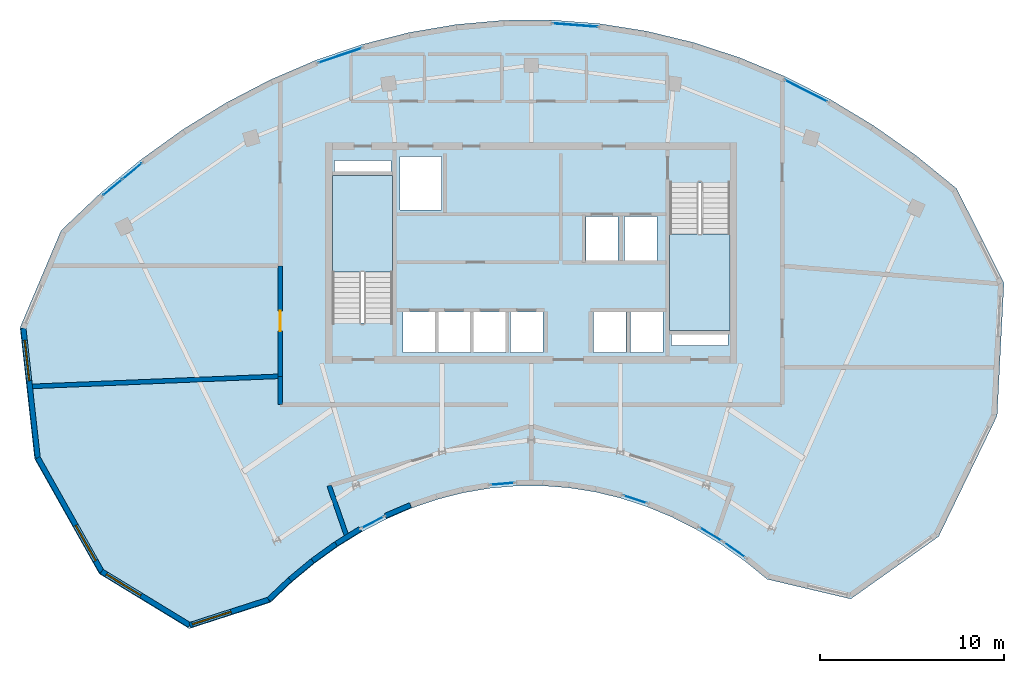
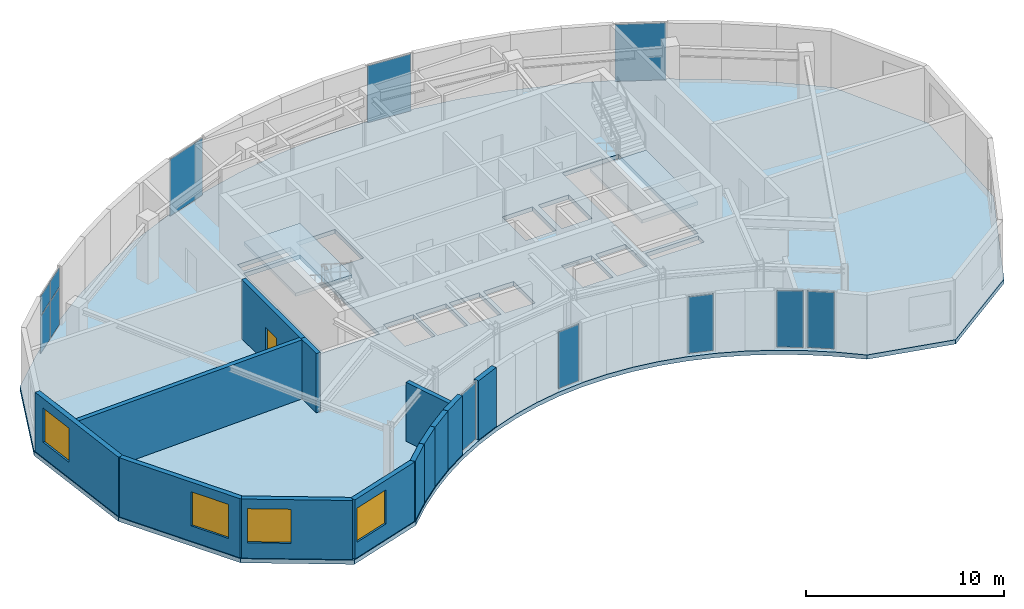
# One storey, part 4 of 9: 13 walls, 12 plates, 4 windows, 3 slabs, 1 door, 5 openings, 11 elements without a shape of their own.
"""IFC4 building model written with IfcOpenShell, lengths in metres."""

import ifcopenshell
import ifcopenshell.guid

model = None  # the IFC model being written
_history = None  # IfcOwnerHistory: only IFC2X3 demands one
_inside = {}  # id of a spatial element -> (the spatial element, [elements in it])
_under = {}  # id of a project, library or spatial element -> (it, [spatial elements below it])
_declared = {}  # id of a project -> (the project, [libraries it declares])
_typed = {}  # id of a type object -> (the type object, [elements of that type])
_made_of = {}  # id of a material, layer set ... -> (it, [elements and type objects made of it])


def new_model(schema):
    """Start an empty IFC model of exactly this schema.

    Asked for "IFC4X3", IfcOpenShell would pick the latest addendum, in which some entities
    have other attributes; the version numbers below select the first issue.
    IFC2X3 requires an IfcOwnerHistory on every rooted entity: one is made here for all.
    """
    global model, _history
    if schema == "IFC4X3":
        model = ifcopenshell.file(schema_version=(4, 3, 0, 0))
    else:
        model = ifcopenshell.file(schema=schema)
    _inside.clear()
    _under.clear()
    _declared.clear()
    _typed.clear()
    _made_of.clear()
    _history = None
    if model.schema == "IFC2X3":
        org = make("IfcOrganization", Name="unknown")
        user = make(
            "IfcPersonAndOrganization",
            ThePerson=make("IfcPerson", FamilyName="unknown"),
            TheOrganization=org,
        )
        app = make(
            "IfcApplication",
            ApplicationDeveloper=org,
            Version="unknown",
            ApplicationFullName="unknown",
            ApplicationIdentifier="unknown",
        )
        _history = make(
            "IfcOwnerHistory",
            OwningUser=user,
            OwningApplication=app,
            ChangeAction="ADDED",
            CreationDate=0,
        )
    return model


def make(cls, **values):
    """One entity of the class cls with the attributes given. An attribute that is None is left unset."""
    return model.create_entity(
        cls, **{name: value for name, value in values.items() if value is not None}
    )


def rooted(cls, **values):
    """An entity with a GlobalId (a new one), such as an element, a storey or a relation."""
    return make(cls, GlobalId=ifcopenshell.guid.new(), OwnerHistory=_history, **values)


def si_unit(unit_type, name, prefix=None):
    """IfcSIUnit, for example si_unit("LENGTHUNIT", "METRE", prefix="MILLI")."""
    return make("IfcSIUnit", UnitType=unit_type, Prefix=prefix, Name=name)


def assignment(units):
    """IfcUnitAssignment: the units of a project."""
    return None if units is None else make("IfcUnitAssignment", Units=units)


def point(xyz):
    """IfcCartesianPoint."""
    return None if xyz is None else make("IfcCartesianPoint", Coordinates=xyz)


def direction(xyz):
    """IfcDirection."""
    return None if xyz is None else make("IfcDirection", DirectionRatios=xyz)


def frame(location, z_axis=None, x_axis=None):
    """IfcAxis2Placement3D, a coordinate frame: its origin and axes. An axis left out is left unset."""
    return make(
        "IfcAxis2Placement3D",
        Location=point(location),
        Axis=direction(z_axis),
        RefDirection=direction(x_axis),
    )


def frame_2d(location, x_axis=None):
    """IfcAxis2Placement2D, a coordinate frame in the plane: its origin and x axis."""
    return make(
        "IfcAxis2Placement2D", Location=point(location), RefDirection=direction(x_axis)
    )


def origin():
    """The frame at (0, 0, 0) with its axes left unset."""
    return frame((0.0, 0.0, 0.0))


def origin_2d():
    """The frame at (0, 0) in the plane with its x axis left unset."""
    return frame_2d((0.0, 0.0))


def place(relative_to, where):
    """IfcLocalPlacement: puts the frame where relative to a parent placement (None: the world)."""
    return make(
        "IfcLocalPlacement", PlacementRelTo=relative_to, RelativePlacement=where
    )


def context(
    kind, dimensions, precision=None, world=None, true_north=None, identifier=None
):
    """IfcGeometricRepresentationContext, for example the 3D "Model" context."""
    return make(
        "IfcGeometricRepresentationContext",
        ContextIdentifier=identifier,
        ContextType=kind,
        CoordinateSpaceDimension=dimensions,
        Precision=precision,
        WorldCoordinateSystem=world,
        TrueNorth=true_north,
    )


def subcontext(parent, identifier, kind, view, scale=None):
    """IfcGeometricRepresentationSubContext, for example "Body" below "Model"."""
    return make(
        "IfcGeometricRepresentationSubContext",
        ContextIdentifier=identifier,
        ContextType=kind,
        ParentContext=parent,
        TargetScale=scale,
        TargetView=view,
    )


def project(units=None, contexts=None):
    """IfcProject with its units and contexts."""
    return rooted(
        "IfcProject",
        Name="project",
        RepresentationContexts=contexts,
        UnitsInContext=assignment(units),
    )


def spatial(cls, under=None, at=None, **own):
    """A site, building, storey or space (cls), placed at a placement, below another one or the project."""
    s = rooted(cls, ObjectPlacement=at, **own)
    if under is not None:
        _under.setdefault(under.id(), (under, []))[1].append(s)
    return s


def polyline(points):
    """IfcPolyline through the points."""
    return make("IfcPolyline", Points=[point(p) for p in points])


def profile(cls, at=None, kind="AREA", **sizes):
    """A parametric profile (cls). Its sizes go by their IFC names, for example OverallWidth=200.0."""
    return make(cls, ProfileType=kind, Position=at, **sizes)


def rectangle(**sizes):
    """IfcRectangleProfileDef."""
    return profile("IfcRectangleProfileDef", **sizes)


def outline(outer, holes=None, kind="AREA"):
    """IfcArbitraryClosedProfileDef: a profile drawn as a closed curve; with holes, ...WithVoids."""
    if holes is None:
        return make("IfcArbitraryClosedProfileDef", ProfileType=kind, OuterCurve=outer)
    return make(
        "IfcArbitraryProfileDefWithVoids",
        ProfileType=kind,
        OuterCurve=outer,
        InnerCurves=holes,
    )


def extrude(swept, where, along, depth):
    """IfcExtrudedAreaSolid: the profile swept, set in the frame where, extruded along a direction by depth."""
    return make(
        "IfcExtrudedAreaSolid",
        SweptArea=swept,
        Position=where,
        ExtrudedDirection=direction(along),
        Depth=depth,
    )


def shape(context_of_items, identifier, shape_type, items):
    """IfcShapeRepresentation: the items that make up one representation, for example the "Body"."""
    return make(
        "IfcShapeRepresentation",
        ContextOfItems=context_of_items,
        RepresentationIdentifier=identifier,
        RepresentationType=shape_type,
        Items=items,
    )


def source(mapping_origin, context_of_items, identifier, shape_type, items):
    """IfcRepresentationMap: a shape defined once, which mapped items show again and again."""
    return make(
        "IfcRepresentationMap",
        MappingOrigin=mapping_origin,
        MappedRepresentation=shape(context_of_items, identifier, shape_type, items),
    )


def transform(
    local_origin,
    x_axis=None,
    y_axis=None,
    z_axis=None,
    scale=None,
    scale2=None,
    scale3=None,
    uniform=True,
):
    """IfcCartesianTransformationOperator3D, or its non-uniform kind. x_axis, y_axis, z_axis: its Axis1, 2, 3."""
    if uniform:
        return make(
            "IfcCartesianTransformationOperator3D",
            Axis1=direction(x_axis),
            Axis2=direction(y_axis),
            LocalOrigin=point(local_origin),
            Scale=scale,
            Axis3=direction(z_axis),
        )
    return make(
        "IfcCartesianTransformationOperator3DnonUniform",
        Axis1=direction(x_axis),
        Axis2=direction(y_axis),
        LocalOrigin=point(local_origin),
        Scale=scale,
        Axis3=direction(z_axis),
        Scale2=scale2,
        Scale3=scale3,
    )


def mapped(mapping_source, mapping_target):
    """IfcMappedItem: shows the shape of a source again, moved by a transform."""
    return make(
        "IfcMappedItem", MappingSource=mapping_source, MappingTarget=mapping_target
    )


def material(Name=None, Category=None):
    """IfcMaterial."""
    return make("IfcMaterial", Name=Name, Category=Category)


def layer(
    of_material, thickness, ventilated=None, Name=None, Category=None, Priority=None
):
    """IfcMaterialLayer: one layer of a wall or slab, of a material (None: an air gap)."""
    return make(
        "IfcMaterialLayer",
        Material=of_material,
        LayerThickness=thickness,
        IsVentilated=ventilated,
        Name=Name,
        Category=Category,
        Priority=Priority,
    )


def layer_set(layers, Name=None):
    """IfcMaterialLayerSet."""
    return make("IfcMaterialLayerSet", MaterialLayers=layers, LayerSetName=Name)


def made_of(thing, what):
    """Note that an element or type object is made of a material, layer set ...; save() writes the relation."""
    if what is not None:
        _made_of.setdefault(what.id(), (what, []))[1].append(thing)
    return thing


def type_object(cls, material=None, **own):
    """A type object (cls), such as IfcWallType, which elements share."""
    return made_of(rooted(cls, **own), material)


def type_shapes(of_type, sources):
    """Give a type object the sources (RepresentationMaps) that its elements show as mapped items."""
    of_type.RepresentationMaps = sources


def element(
    cls,
    number,
    at=None,
    inside=None,
    cuts=None,
    type_object=None,
    material=None,
    context=None,
    identifier="Body",
    shape_type=None,
    held_by="IfcProductDefinitionShape",
    body=None,
    shapes=None,
    **own,
):
    """One element of the class cls, such as IfcWall. Its Tag is "e" and its number.

    at: its placement. inside: the storey or other place that contains it. cuts: it is an
    opening in that element (IfcRelVoidsElement). A single representation is given by context,
    identifier, shape_type and body (its items); several are given by shapes. held_by: the class
    of the entity that holds the representations. save() writes the other relations.
    """
    e = rooted(cls, Tag="e%d" % number, ObjectPlacement=at, **own)
    if body is not None:
        shapes = [shape(context, identifier, shape_type, body)]
    if shapes is not None:
        e.Representation = make(held_by, Representations=shapes)
    if inside is not None:
        _inside.setdefault(inside.id(), (inside, []))[1].append(e)
    if cuts is not None:
        rooted(
            "IfcRelVoidsElement", RelatingBuildingElement=cuts, RelatedOpeningElement=e
        )
    if type_object is not None:
        _typed.setdefault(type_object.id(), (type_object, []))[1].append(e)
    return made_of(e, material)


def fill(opening, filler):
    """IfcRelFillsElement: the door or window that sits in an opening."""
    return rooted(
        "IfcRelFillsElement",
        RelatingOpeningElement=opening,
        RelatedBuildingElement=filler,
    )


def aggregate(whole, parts):
    """IfcRelAggregates: a whole, such as a stair, and the parts it consists of."""
    return rooted("IfcRelAggregates", RelatingObject=whole, RelatedObjects=parts)


def save(model, path):
    """Write the relations noted so far, then the file.

    IfcRelAggregates (storeys below a building ...), IfcRelContainedInSpatialStructure (elements
    in a storey), IfcRelDefinesByType, IfcRelAssociatesMaterial and IfcRelDeclares: one each for
    every whole, place, type object, material and project.
    """
    for whole, parts in _under.values():
        aggregate(whole, parts)
    for where, things in _inside.values():
        rooted(
            "IfcRelContainedInSpatialStructure",
            RelatedElements=things,
            RelatingStructure=where,
        )
    for kind, things in _typed.values():
        rooted("IfcRelDefinesByType", RelatedObjects=things, RelatingType=kind)
    for what, things in _made_of.values():
        rooted("IfcRelAssociatesMaterial", RelatedObjects=things, RelatingMaterial=what)
    for by, libraries in _declared.values():
        rooted("IfcRelDeclares", RelatingContext=by, RelatedDefinitions=libraries)
    model.write(path)


model = new_model("IFC4")

# Units and contexts
model_context = context("Model", 3, precision=1e-05, world=origin(), true_north=direction((0.0, 1.0)))
body_context = subcontext(model_context, "Body", "Model", "MODEL_VIEW")
ifc_project = project(units=[si_unit("LENGTHUNIT", "METRE"), si_unit("AREAUNIT", "SQUARE_METRE"), si_unit("VOLUMEUNIT", "CUBIC_METRE"), si_unit("PLANEANGLEUNIT", "RADIAN"), si_unit("MASSUNIT", "GRAM", prefix="KILO")], contexts=[model_context])

# Site, building, storey
site_placement = place(None, origin())
site = spatial("IfcSite", under=ifc_project, at=site_placement, CompositionType="ELEMENT")
building_placement = place(site_placement, origin())
building = spatial("IfcBuilding", under=site, at=building_placement, Name="Breltana Convention Tower", CompositionType="ELEMENT")
storey_placement = place(building_placement, frame((0.0, 0.0, 291.300048828125)))
storey = spatial("IfcBuildingStorey", under=building, at=storey_placement, Name="L71", CompositionType="ELEMENT", Elevation=291.300048828125)

# Stair, slab
ifc_material_1 = material(Name="Concrete C40/50", Category="concrete")
stair_type = type_object("IfcStairType", Name="ST-DOG-1560-R177", PredefinedType="HALF_TURN_STAIR", material=ifc_material_1)
stair_1_placement = place(storey_placement, origin())
stair_1 = element("IfcStair", 1, at=stair_1_placement, inside=storey, type_object=stair_type, Name="L71 Protected Core Exit Stair ST-1", PredefinedType="HALF_TURN_STAIR")
ifc_layer_1 = layer(ifc_material_1, 0.199951171875, Name="Concrete C40/50")
ifc_layer_set_1 = layer_set([ifc_layer_1], Name="Concrete C40/50")
slab_type_1 = type_object("IfcSlabType", Name="SL-STAIR-LANDING-200", PredefinedType="LANDING", material=ifc_layer_set_1)
slab_1_placement = place(storey_placement, frame((0.0, 0.0, 1.75)))
slab_1 = element("IfcSlab", 2, at=slab_1_placement, type_object=slab_type_1, Name="ST-1 landing 1", PredefinedType="LANDING", context=body_context, shape_type="SweptSolid", body=[
    extrude(outline(polyline([(40.469970703125, 65.159912109375), (40.469970703125, 70.39990234375), (37.199951171875, 70.39990234375), (37.199951171875, 65.159912109375), (40.469970703125, 65.159912109375)])), origin(), (0.0, 0.0, 1.0), 0.199951171875),
])
aggregate(stair_1, [slab_1])

stair_2_placement = place(storey_placement, origin())
stair_2 = element("IfcStair", 3, at=stair_2_placement, inside=storey, type_object=stair_type, Name="L71 Protected Core Exit Stair ST-2", PredefinedType="HALF_TURN_STAIR")
slab_2_placement = place(storey_placement, frame((0.0, 0.0, 1.75)))
slab_2 = element("IfcSlab", 4, at=slab_2_placement, type_object=slab_type_1, Name="ST-2 landing 1", PredefinedType="LANDING", context=body_context, shape_type="SweptSolid", body=[
    extrude(outline(polyline([(55.530029296875, 67.239990234375), (55.530029296875, 62.0), (58.800048828125, 62.0), (58.800048828125, 67.239990234375), (55.530029296875, 67.239990234375)])), origin(), (0.0, 0.0, 1.0), 0.199951171875),
])
aggregate(stair_2, [slab_2])

# Slab
ifc_layer_2 = layer(ifc_material_1, 0.260009765625, Name="Concrete C40/50")
ifc_layer_set_2 = layer_set([ifc_layer_2], Name="Concrete C40/50")
slab_type_2 = type_object("IfcSlabType", Name="SL-UPP-260", PredefinedType="FLOOR", material=ifc_layer_set_2)
slab_3_placement = place(storey_placement, frame((0.0, 0.0, -0.260009765625)))
element("IfcSlab", 5, at=slab_3_placement, inside=storey, type_object=slab_type_2, Name="L71 Suspended Structural Floor Slab", PredefinedType="FLOOR", context=body_context, shape_type="SweptSolid", body=[
    extrude(outline(polyline([(71.119873046875, 69.7060546875), (68.9033203125, 71.50830078125), (66.60888671875, 73.126220703125), (64.244873046875, 74.552978515625), (61.8203125, 75.783935546875), (59.34423828125, 76.814208984375), (56.825927734375, 77.639892578125), (54.2744140625, 78.25830078125), (51.69970703125, 78.66650390625), (49.111083984375, 78.863525390625), (46.5185546875, 78.848388671875), (43.931396484375, 78.62109375), (41.359375, 78.1826171875), (38.81201171875, 77.53466796875), (36.29931640625, 76.679443359375), (33.829833984375, 75.620361328125), (31.41357421875, 74.361083984375), (29.058837890625, 72.906494140625), (26.77490234375, 71.26220703125), (24.5703125, 69.433837890625), (22.452880859375, 67.4287109375), (20.216796875, 62.142578125), (21.007080078125, 55.0126953125), (24.52197265625, 48.762451171875), (29.418701171875, 45.779296875), (33.827392578125, 47.202392578125), (35.001953125, 48.31494140625), (36.22509765625, 49.3291015625), (37.491943359375, 50.241455078125), (38.79833984375, 51.04833984375), (40.138916015625, 51.746826171875), (41.5087890625, 52.33447265625), (42.90283203125, 52.80908203125), (44.31591796875, 53.16845703125), (45.742919921875, 53.41162109375), (47.177978515625, 53.537841796875), (48.616455078125, 53.546142578125), (50.052490234375, 53.43701171875), (51.48095703125, 53.21044921875), (52.896240234375, 52.867431640625), (54.29345703125, 52.4091796875), (55.6669921875, 51.837646484375), (57.01220703125, 51.15478515625), (58.323486328125, 50.36328125), (59.5966796875, 49.4658203125), (60.826171875, 48.4658203125), (65.370849609375, 47.394775390625), (70.1455078125, 50.789306640625), (73.326416015625, 57.352783203125), (73.698486328125, 64.57861328125), (71.119873046875, 69.7060546875)]), holes=[polyline([(37.199951171875, 62.385009765625), (40.469970703125, 62.385009765625), (40.469970703125, 70.39990234375), (37.199951171875, 70.39990234375), (37.199951171875, 62.385009765625)]), polyline([(55.530029296875, 62.0), (58.800048828125, 62.0), (58.800048828125, 70.014892578125), (55.530029296875, 70.014892578125), (55.530029296875, 62.0)]), polyline([(41.0400390625, 60.800048828125), (42.800048828125, 60.800048828125), (42.800048828125, 62.97998046875), (41.0400390625, 62.97998046875), (41.0400390625, 60.800048828125)]), polyline([(42.93994140625, 60.800048828125), (44.699951171875, 60.800048828125), (44.699951171875, 62.97998046875), (42.93994140625, 62.97998046875), (42.93994140625, 60.800048828125)]), polyline([(44.8701171875, 60.800048828125), (46.6298828125, 60.800048828125), (46.6298828125, 62.97998046875), (44.8701171875, 62.97998046875), (44.8701171875, 60.800048828125)]), polyline([(46.8701171875, 60.800048828125), (48.6298828125, 60.800048828125), (48.6298828125, 62.97998046875), (46.8701171875, 62.97998046875), (46.8701171875, 60.800048828125)]), polyline([(51.39990234375, 60.800048828125), (53.159912109375, 60.800048828125), (53.159912109375, 62.97998046875), (51.39990234375, 62.97998046875), (51.39990234375, 60.800048828125)]), polyline([(53.39990234375, 60.800048828125), (55.159912109375, 60.800048828125), (55.159912109375, 62.97998046875), (53.39990234375, 62.97998046875), (53.39990234375, 60.800048828125)]), polyline([(50.969970703125, 65.800048828125), (52.72998046875, 65.800048828125), (52.72998046875, 68.179931640625), (50.969970703125, 68.179931640625), (50.969970703125, 65.800048828125)]), polyline([(53.070068359375, 65.800048828125), (54.830078125, 65.800048828125), (54.830078125, 68.179931640625), (53.070068359375, 68.179931640625), (53.070068359375, 65.800048828125)]), polyline([(40.8798828125, 68.550048828125), (43.1201171875, 68.550048828125), (43.1201171875, 71.449951171875), (40.8798828125, 71.449951171875), (40.8798828125, 68.550048828125)]), polyline([(37.300048828125, 70.60009765625), (40.3798828125, 70.60009765625), (40.3798828125, 71.219970703125), (37.300048828125, 71.219970703125), (37.300048828125, 70.60009765625)]), polyline([(55.6201171875, 61.179931640625), (58.699951171875, 61.179931640625), (58.699951171875, 61.800048828125), (55.6201171875, 61.800048828125), (55.6201171875, 61.179931640625)])]), origin(), (0.0, 0.0, 1.0), 0.260009765625),
])

# Curtain wall, plate
ifc_material_2 = material(Name="Aluminium Anodised Bronze Frame", Category="aluminium")
ifc_layer_3 = layer(ifc_material_2, 0.18994140625, Name="Aluminium Anodised Bronze Frame")
ifc_layer_set_3 = layer_set([ifc_layer_3], Name="Aluminium Anodised Bronze Frame")
curtain_wall_type_1 = type_object("IfcCurtainWallType", Name="CW-SYS-1", PredefinedType="NOTDEFINED", material=ifc_layer_set_3)
curtain_wall_1_placement = place(storey_placement, origin())
curtain_wall_1 = element("IfcCurtainWall", 6, at=curtain_wall_1_placement, inside=storey, type_object=curtain_wall_type_1, Name="L71 inner south-court glazing 1", PredefinedType="NOTDEFINED")
ifc_material_3 = material(Name="Glass Low-E Double Glazing", Category="glass")
ifc_layer_4 = layer(ifc_material_3, 0.028076171875, Name="Glass Low-E Double Glazing")
ifc_layer_set_4 = layer_set([ifc_layer_4], Name="Glass Low-E Double Glazing")
plate_type_1 = type_object("IfcPlateType", Name="CWP-IGU-28", PredefinedType="CURTAIN_PANEL", material=ifc_layer_set_4)
shared_shape_1 = source(origin(), body_context, "Body", "SweptSolid", [
    extrude(rectangle(XDim=1.3974609375, YDim=0.028076171875, at=origin_2d()), origin(), (0.0, 0.0, 1.0), 3.47998046875),
])
plate_1_placement = place(storey_placement, frame((59.063720703125, 50.0615234375, 0.080078125), z_axis=(0.0, 0.0, 1.0), x_axis=(-0.817327132857, 0.576173895534, 0.0)))
plate_1 = element("IfcPlate", 7, at=plate_1_placement, type_object=plate_type_1, Name="CW-01 panel 1.1", PredefinedType="CURTAIN_PANEL", context=body_context, shape_type="MappedRepresentation", body=[
    mapped(shared_shape_1, transform((0.0, 0.0, 0.0), scale=1.0)),
])
aggregate(curtain_wall_1, [plate_1])

curtain_wall_2_placement = place(storey_placement, origin())
curtain_wall_2 = element("IfcCurtainWall", 8, at=curtain_wall_2_placement, inside=storey, type_object=curtain_wall_type_1, Name="L71 inner south-court glazing 2", PredefinedType="NOTDEFINED")
shared_shape_2 = source(origin(), body_context, "Body", "SweptSolid", [
    extrude(rectangle(XDim=1.371826171875, YDim=0.028076171875, at=origin_2d()), origin(), (0.0, 0.0, 1.0), 3.47998046875),
])
plate_2_placement = place(storey_placement, frame((57.760986328125, 50.9130859375, 0.080078125), z_axis=(0.0, 0.0, 1.0), x_axis=(-0.856090059164, 0.516826673654, 0.0)))
plate_2 = element("IfcPlate", 9, at=plate_2_placement, type_object=plate_type_1, Name="CW-01 panel 1.1", PredefinedType="CURTAIN_PANEL", context=body_context, shape_type="MappedRepresentation", body=[
    mapped(shared_shape_2, transform((0.0, 0.0, 0.0), scale=1.0)),
])
aggregate(curtain_wall_2, [plate_2])

# Curtain wall, plates
ifc_layer_5 = layer(ifc_material_2, 0.22998046875, Name="Aluminium Anodised Bronze Frame")
ifc_layer_set_5 = layer_set([ifc_layer_5], Name="Aluminium Anodised Bronze Frame")
curtain_wall_type_2 = type_object("IfcCurtainWallType", Name="CW-SYS-5", PredefinedType="NOTDEFINED", material=ifc_layer_set_5)
curtain_wall_3_placement = place(storey_placement, origin())
curtain_wall_3 = element("IfcCurtainWall", 10, at=curtain_wall_3_placement, inside=storey, type_object=curtain_wall_type_2, Name="L71 outer double-skin inner glazing 1", PredefinedType="NOTDEFINED")
ifc_layer_6 = layer(ifc_material_3, 0.035888671875, Name="Glass Low-E Double Glazing")
ifc_layer_set_6 = layer_set([ifc_layer_6], Name="Glass Low-E Double Glazing")
plate_type_2 = type_object("IfcPlateType", Name="CWP-IGU-36", PredefinedType="CURTAIN_PANEL", material=ifc_layer_set_6)
shared_shape_3 = source(origin(), body_context, "Body", "SweptSolid", [
    extrude(rectangle(XDim=1.321044921875, YDim=0.035888671875, at=origin_2d()), origin(), (0.0, 0.0, 1.0), 2.260986328125),
])
plate_3_placement = place(storey_placement, frame((25.252197265625, 69.765380859375, 0.06982421875), z_axis=(0.0, 0.0, 1.0), x_axis=(0.76977098678, 0.638320160979, 0.0)))
plate_3 = element("IfcPlate", 11, at=plate_3_placement, type_object=plate_type_2, Name="CW-05 panel 1.1", PredefinedType="CURTAIN_PANEL", context=body_context, shape_type="MappedRepresentation", body=[
    mapped(shared_shape_3, transform((0.0, 0.0, 0.0), scale=1.0)),
])
plate_4_placement = place(storey_placement, frame((26.322998046875, 70.6533203125, 0.06982421875), z_axis=(0.0, 0.0, 1.0), x_axis=(0.76977098678, 0.638320160979, 0.0)))
plate_4 = element("IfcPlate", 12, at=plate_4_placement, type_object=plate_type_2, Name="CW-05 panel 2.1", PredefinedType="CURTAIN_PANEL", context=body_context, shape_type="MappedRepresentation", body=[
    mapped(shared_shape_3, transform((0.0, 0.0, 0.0), scale=1.0)),
])
shared_shape_4 = source(origin(), body_context, "Body", "SweptSolid", [
    extrude(rectangle(XDim=1.321044921875, YDim=0.035888671875, at=origin_2d()), origin(), (0.0, 0.0, 1.0), 1.1689453125),
])
plate_5_placement = place(storey_placement, frame((25.252197265625, 69.765380859375, 2.40087890625), z_axis=(0.0, 0.0, 1.0), x_axis=(0.76977098678, 0.638320160979, 0.0)))
plate_5 = element("IfcPlate", 13, at=plate_5_placement, type_object=plate_type_2, Name="CW-05 panel 1.2", PredefinedType="CURTAIN_PANEL", context=body_context, shape_type="MappedRepresentation", body=[
    mapped(shared_shape_4, transform((0.0, 0.0, 0.0), scale=1.0)),
])
plate_6_placement = place(storey_placement, frame((26.322998046875, 70.6533203125, 2.40087890625), z_axis=(0.0, 0.0, 1.0), x_axis=(0.76977098678, 0.638320160979, 0.0)))
plate_6 = element("IfcPlate", 14, at=plate_6_placement, type_object=plate_type_2, Name="CW-05 panel 2.2", PredefinedType="CURTAIN_PANEL", context=body_context, shape_type="MappedRepresentation", body=[
    mapped(shared_shape_4, transform((0.0, 0.0, 0.0), scale=1.0)),
])
aggregate(curtain_wall_3, [plate_3, plate_5, plate_4, plate_6])

# Curtain wall, plate
curtain_wall_4_placement = place(storey_placement, origin())
curtain_wall_4 = element("IfcCurtainWall", 15, at=curtain_wall_4_placement, inside=storey, type_object=curtain_wall_type_1, Name="L71 inner south-court glazing 3", PredefinedType="NOTDEFINED")
shared_shape_5 = source(origin(), body_context, "Body", "SweptSolid", [
    extrude(rectangle(XDim=1.310302734375, YDim=0.028076171875, at=origin_2d()), origin(), (0.0, 0.0, 1.0), 3.47998046875),
])
plate_7_placement = place(storey_placement, frame((53.65087890625, 52.809326171875, 0.080078125), z_axis=(0.0, 0.0, 1.0), x_axis=(-0.95022921091, 0.311551675865, 0.0)))
plate_7 = element("IfcPlate", 16, at=plate_7_placement, type_object=plate_type_1, Name="CW-01 panel 1.1", PredefinedType="CURTAIN_PANEL", context=body_context, shape_type="MappedRepresentation", body=[
    mapped(shared_shape_5, transform((0.0, 0.0, 0.0), scale=1.0)),
])
aggregate(curtain_wall_4, [plate_7])

curtain_wall_5_placement = place(storey_placement, origin())
curtain_wall_5 = element("IfcCurtainWall", 17, at=curtain_wall_5_placement, inside=storey, type_object=curtain_wall_type_1, Name="L71 inner south-court glazing 4", PredefinedType="NOTDEFINED")
shared_shape_6 = source(origin(), body_context, "Body", "SweptSolid", [
    extrude(rectangle(XDim=1.28076171875, YDim=0.028076171875, at=origin_2d()), origin(), (0.0, 0.0, 1.0), 3.47998046875),
])
plate_8_placement = place(storey_placement, frame((46.444580078125, 53.654052734375, 0.080078125), z_axis=(0.0, 0.0, 1.0), x_axis=(-0.996162843491, -0.087519079336, 0.0)))
plate_8 = element("IfcPlate", 18, at=plate_8_placement, type_object=plate_type_1, Name="CW-01 panel 1.1", PredefinedType="CURTAIN_PANEL", context=body_context, shape_type="MappedRepresentation", body=[
    mapped(shared_shape_6, transform((0.0, 0.0, 0.0), scale=1.0)),
])
aggregate(curtain_wall_5, [plate_8])

curtain_wall_6_placement = place(storey_placement, origin())
curtain_wall_6 = element("IfcCurtainWall", 19, at=curtain_wall_6_placement, inside=storey, type_object=curtain_wall_type_1, Name="L71 inner south-court glazing 5", PredefinedType="NOTDEFINED")
shared_shape_7 = source(origin(), body_context, "Body", "SweptSolid", [
    extrude(rectangle(XDim=1.3515625, YDim=0.028076171875, at=origin_2d()), origin(), (0.0, 0.0, 1.0), 3.47998046875),
])
plate_9_placement = place(storey_placement, frame((39.38525390625, 51.55712890625, 0.080078125), z_axis=(0.0, 0.0, 1.0), x_axis=(-0.886826544842, -0.462102455484, 0.0)))
plate_9 = element("IfcPlate", 20, at=plate_9_placement, type_object=plate_type_1, Name="CW-01 panel 1.1", PredefinedType="CURTAIN_PANEL", context=body_context, shape_type="MappedRepresentation", body=[
    mapped(shared_shape_7, transform((0.0, 0.0, 0.0), scale=1.0)),
])
aggregate(curtain_wall_6, [plate_9])

curtain_wall_7_placement = place(storey_placement, origin())
curtain_wall_7 = element("IfcCurtainWall", 21, at=curtain_wall_7_placement, inside=storey, type_object=curtain_wall_type_2, Name="L71 outer double-skin inner glazing 2", PredefinedType="NOTDEFINED")
shared_shape_8 = source(origin(), body_context, "Body", "SweptSolid", [
    extrude(rectangle(XDim=2.50048828125, YDim=0.035888671875, at=origin_2d()), origin(), (0.0, 0.0, 1.0), 3.5),
])
plate_10_placement = place(storey_placement, frame((37.613525390625, 76.9365234375, 0.070068359375), z_axis=(0.0, 0.0, 1.0), x_axis=(0.946676206654, 0.322186529445, 0.0)))
plate_10 = element("IfcPlate", 22, at=plate_10_placement, type_object=plate_type_2, Name="CW-05 panel 1.1", PredefinedType="CURTAIN_PANEL", context=body_context, shape_type="MappedRepresentation", body=[
    mapped(shared_shape_8, transform((0.0, 0.0, 0.0), scale=1.0)),
])
aggregate(curtain_wall_7, [plate_10])

curtain_wall_8_placement = place(storey_placement, origin())
curtain_wall_8 = element("IfcCurtainWall", 23, at=curtain_wall_8_placement, inside=storey, type_object=curtain_wall_type_2, Name="L71 outer double-skin inner glazing 3", PredefinedType="NOTDEFINED")
shared_shape_9 = source(origin(), body_context, "Body", "SweptSolid", [
    extrude(rectangle(XDim=2.44140625, YDim=0.035888671875, at=origin_2d()), origin(), (0.0, 0.0, 1.0), 3.5),
])
plate_11_placement = place(storey_placement, frame((50.391845703125, 78.58544921875, 0.070068359375), z_axis=(0.0, 0.0, 1.0), x_axis=(0.99711614311, -0.075890692114, 0.0)))
plate_11 = element("IfcPlate", 24, at=plate_11_placement, type_object=plate_type_2, Name="CW-05 panel 1.1", PredefinedType="CURTAIN_PANEL", context=body_context, shape_type="MappedRepresentation", body=[
    mapped(shared_shape_9, transform((0.0, 0.0, 0.0), scale=1.0)),
])
aggregate(curtain_wall_8, [plate_11])

curtain_wall_9_placement = place(storey_placement, origin())
curtain_wall_9 = element("IfcCurtainWall", 25, at=curtain_wall_9_placement, inside=storey, type_object=curtain_wall_type_2, Name="L71 outer double-skin inner glazing 4", PredefinedType="NOTDEFINED")
shared_shape_10 = source(origin(), body_context, "Body", "SweptSolid", [
    extrude(rectangle(XDim=2.565673828125, YDim=0.035888671875, at=origin_2d()), origin(), (0.0, 0.0, 1.0), 3.5),
])
plate_12_placement = place(storey_placement, frame((62.951171875, 75.0078125, 0.070068359375), z_axis=(0.0, 0.0, 1.0), x_axis=(0.891667916879, -0.452690099305, 0.0)))
plate_12 = element("IfcPlate", 26, at=plate_12_placement, type_object=plate_type_2, Name="CW-05 panel 1.1", PredefinedType="CURTAIN_PANEL", context=body_context, shape_type="MappedRepresentation", body=[
    mapped(shared_shape_10, transform((0.0, 0.0, 0.0), scale=1.0)),
])
aggregate(curtain_wall_9, [plate_12])

# Walls
ifc_material_4 = material(Name="Limestone Buff Insulated Wall", Category="masonry")
ifc_layer_7 = layer(ifc_material_4, 0.280029296875, Name="Limestone Buff Insulated Wall")
ifc_layer_set_7 = layer_set([ifc_layer_7], Name="Limestone Buff Insulated Wall")
wall_type_1 = type_object("IfcWallType", Name="WL-EXT-NOSE-280", PredefinedType="SOLIDWALL", material=ifc_layer_set_7)
shared_shape_11 = source(origin(), body_context, "Body", "SweptSolid", [
    extrude(rectangle(XDim=1.490478515625, YDim=0.280029296875, at=frame_2d((0.7451171875, 0.0))), origin(), (0.0, 0.0, 1.0), 3.639892578125),
])
wall_1_placement = place(storey_placement, frame((41.437744140625, 52.5, 0.0), z_axis=(0.0, 0.0, 1.0), x_axis=(-0.919009427656, -0.394235553799, 0.0)))
element("IfcWall", 27, at=wall_1_placement, inside=storey, type_object=wall_type_1, Name="L71 curved limestone nose wall E16", PredefinedType="SOLIDWALL", context=body_context, shape_type="MappedRepresentation", body=[
    mapped(shared_shape_11, transform((0.0, 0.0, 0.0), scale=1.0)),
])
shared_shape_12 = source(origin(), body_context, "Body", "SweptSolid", [
    extrude(rectangle(XDim=1.56103515625, YDim=0.280029296875, at=frame_2d((0.780517578125, 0.0))), origin(), (0.0, 0.0, 1.0), 3.639892578125),
])
wall_2_placement = place(storey_placement, frame((37.38671875, 50.387451171875, 0.0), z_axis=(0.0, 0.0, 1.0), x_axis=(-0.81154027425, -0.584296485758, 0.0)))
element("IfcWall", 28, at=wall_2_placement, inside=storey, type_object=wall_type_1, Name="L71 curved limestone nose wall E18", PredefinedType="SOLIDWALL", context=body_context, shape_type="MappedRepresentation", body=[
    mapped(shared_shape_12, transform((0.0, 0.0, 0.0), scale=1.0)),
])
shared_shape_13 = source(origin(), body_context, "Body", "SweptSolid", [
    extrude(rectangle(XDim=1.5888671875, YDim=0.280029296875, at=frame_2d((0.79443359375, 0.0))), origin(), (0.0, 0.0, 1.0), 3.639892578125),
])
wall_3_placement = place(storey_placement, frame((36.110107421875, 49.4677734375, 0.0), z_axis=(0.0, 0.0, 1.0), x_axis=(-0.769805836273, -0.63827813251, 0.0)))
element("IfcWall", 29, at=wall_3_placement, inside=storey, type_object=wall_type_1, Name="L71 curved limestone nose wall E19", PredefinedType="SOLIDWALL", context=body_context, shape_type="MappedRepresentation", body=[
    mapped(shared_shape_13, transform((0.0, 0.0, 0.0), scale=1.0)),
])
shared_shape_14 = source(origin(), body_context, "Body", "SweptSolid", [
    extrude(rectangle(XDim=1.576904296875, YDim=0.280029296875, at=frame_2d((0.78857421875, 0.0))), origin(), (0.0, 0.0, 1.0), 3.639892578125),
])
wall_4_placement = place(storey_placement, frame((34.878173828125, 48.445556640625, 0.0), z_axis=(0.0, 0.0, 1.0), x_axis=(-0.726119464467, -0.687568558998, 0.0)))
element("IfcWall", 30, at=wall_4_placement, inside=storey, type_object=wall_type_1, Name="L71 curved limestone nose wall W1", PredefinedType="SOLIDWALL", context=body_context, shape_type="MappedRepresentation", body=[
    mapped(shared_shape_14, transform((0.0, 0.0, 0.0), scale=1.0)),
])

# Wall, opening, window
shared_shape_15 = source(origin(), body_context, "Body", "SweptSolid", [
    extrude(rectangle(XDim=4.50927734375, YDim=0.280029296875, at=frame_2d((2.254638671875, 0.0))), origin(), (0.0, 0.0, 1.0), 3.639892578125),
])
wall_5_placement = place(storey_placement, frame((33.733154296875, 47.361328125, 0.0), z_axis=(0.0, 0.0, 1.0), x_axis=(-0.95162949292, -0.307247958828, 0.0)))
wall_5 = element("IfcWall", 31, at=wall_5_placement, inside=storey, type_object=wall_type_1, Name="L71 curved limestone nose wall W2", PredefinedType="SOLIDWALL", context=body_context, shape_type="MappedRepresentation", body=[
    mapped(shared_shape_15, transform((0.0, 0.0, 0.0), scale=1.0)),
])
opening_1_placement = place(wall_5_placement, frame((2.1494140625, 0.0, 0.949951171875)))
opening_1 = element("IfcOpeningElement", 32, at=opening_1_placement, cuts=wall_5, Name="Opening W-03", PredefinedType="OPENING", context=body_context, shape_type="SweptSolid", body=[
    extrude(rectangle(XDim=2.199951171875, YDim=2.10009765625, at=frame_2d((1.10009765625, 1.050048828125))), frame((0.0, 0.14990234375, 0.0), z_axis=(0.0, -1.0, 0.0), x_axis=(1.0, 0.0, 0.0)), (0.0, 0.0, 1.0), 0.300048828125),
])
ifc_material_5 = material(Name="Glass Low-E Insulated Window", Category="glass")
window_type = type_object("IfcWindowType", Name="WN-NOSE-2200X2100", PartitioningType="TRIPLE_PANEL_VERTICAL", PredefinedType="WINDOW", material=ifc_material_5)
shared_shape_16 = source(origin(), body_context, "Body", "SweptSolid", [
    extrude(rectangle(XDim=2.199951171875, YDim=2.10009765625, at=frame_2d((1.10009765625, 1.050048828125))), frame((0.0, 0.030029296875, 0.0), z_axis=(0.0, -1.0, 0.0), x_axis=(1.0, 0.0, 0.0)), (0.0, 0.0, 1.0), 0.06005859375),
])
type_shapes(window_type, [shared_shape_16])
window_1_placement = place(opening_1_placement, origin())
window_1 = element("IfcWindow", 33, at=window_1_placement, inside=storey, type_object=window_type, Name="L71 nose window W2", OverallHeight=2.10009765625, OverallWidth=2.199951171875, PartitioningType="TRIPLE_PANEL_VERTICAL", PredefinedType="WINDOW", context=body_context, shape_type="MappedRepresentation", body=[
    mapped(shared_shape_16, transform((0.0, 0.0, 0.0), scale=1.0)),
])
fill(opening_1, window_1)

shared_shape_17 = source(origin(), body_context, "Body", "SweptSolid", [
    extrude(rectangle(XDim=5.604248046875, YDim=0.280029296875, at=frame_2d((2.80224609375, 0.0))), origin(), (0.0, 0.0, 1.0), 3.639892578125),
])
wall_6_placement = place(storey_placement, frame((29.44189453125, 45.975830078125, 0.0), z_axis=(0.0, 0.0, 1.0), x_axis=(-0.854002492971, 0.520268913158, 0.0)))
wall_6 = element("IfcWall", 34, at=wall_6_placement, inside=storey, type_object=wall_type_1, Name="L71 curved limestone nose wall W3", PredefinedType="SOLIDWALL", context=body_context, shape_type="MappedRepresentation", body=[
    mapped(shared_shape_17, transform((0.0, 0.0, 0.0), scale=1.0)),
])
opening_2_placement = place(wall_6_placement, frame((3.103271484375, 0.0, 0.949951171875)))
opening_2 = element("IfcOpeningElement", 35, at=opening_2_placement, cuts=wall_6, Name="Opening W-03", PredefinedType="OPENING", context=body_context, shape_type="SweptSolid", body=[
    extrude(rectangle(XDim=2.199951171875, YDim=2.10009765625, at=frame_2d((1.10009765625, 1.050048828125))), frame((0.0, 0.14990234375, 0.0), z_axis=(0.0, -1.0, 0.0), x_axis=(1.0, 0.0, 0.0)), (0.0, 0.0, 1.0), 0.300048828125),
])
window_2_placement = place(opening_2_placement, origin())
window_2 = element("IfcWindow", 36, at=window_2_placement, inside=storey, type_object=window_type, Name="L71 nose window W3", OverallHeight=2.10009765625, OverallWidth=2.199951171875, PartitioningType="TRIPLE_PANEL_VERTICAL", PredefinedType="WINDOW", context=body_context, shape_type="MappedRepresentation", body=[
    mapped(shared_shape_16, transform((0.0, 0.0, 0.0), scale=1.0)),
])
fill(opening_2, window_2)

shared_shape_18 = source(origin(), body_context, "Body", "SweptSolid", [
    extrude(rectangle(XDim=7.087158203125, YDim=0.280029296875, at=frame_2d((3.54345703125, 0.0))), origin(), (0.0, 0.0, 1.0), 3.639892578125),
])
wall_7_placement = place(storey_placement, frame((24.65576171875, 48.8916015625, 0.0), z_axis=(0.0, 0.0, 1.0), x_axis=(-0.490158199368, 0.871633489256, 0.0)))
wall_7 = element("IfcWall", 37, at=wall_7_placement, inside=storey, type_object=wall_type_1, Name="L71 curved limestone nose wall W4", PredefinedType="SOLIDWALL", context=body_context, shape_type="MappedRepresentation", body=[
    mapped(shared_shape_18, transform((0.0, 0.0, 0.0), scale=1.0)),
])
opening_3_placement = place(wall_7_placement, frame((0.671875, 0.0, 0.949951171875)))
opening_3 = element("IfcOpeningElement", 38, at=opening_3_placement, cuts=wall_7, Name="Opening W-03", PredefinedType="OPENING", context=body_context, shape_type="SweptSolid", body=[
    extrude(rectangle(XDim=2.199951171875, YDim=2.10009765625, at=frame_2d((1.10009765625, 1.050048828125))), frame((0.0, 0.14990234375, 0.0), z_axis=(0.0, -1.0, 0.0), x_axis=(1.0, 0.0, 0.0)), (0.0, 0.0, 1.0), 0.300048828125),
])
window_3_placement = place(opening_3_placement, origin())
window_3 = element("IfcWindow", 39, at=window_3_placement, inside=storey, type_object=window_type, Name="L71 nose window W4", OverallHeight=2.10009765625, OverallWidth=2.199951171875, PartitioningType="TRIPLE_PANEL_VERTICAL", PredefinedType="WINDOW", context=body_context, shape_type="MappedRepresentation", body=[
    mapped(shared_shape_16, transform((0.0, 0.0, 0.0), scale=1.0)),
])
fill(opening_3, window_3)

shared_shape_19 = source(origin(), body_context, "Body", "SweptSolid", [
    extrude(rectangle(XDim=7.08984375, YDim=0.280029296875, at=frame_2d((3.544921875, 0.0))), origin(), (0.0, 0.0, 1.0), 3.639892578125),
])
wall_8_placement = place(storey_placement, frame((21.181884765625, 55.069091796875, 0.0), z_axis=(0.0, 0.0, 1.0), x_axis=(-0.110159396922, 0.993913933532, 0.0)))
wall_8 = element("IfcWall", 40, at=wall_8_placement, inside=storey, type_object=wall_type_1, Name="L71 curved limestone nose wall W5", PredefinedType="SOLIDWALL", context=body_context, shape_type="MappedRepresentation", body=[
    mapped(shared_shape_19, transform((0.0, 0.0, 0.0), scale=1.0)),
])
opening_4_placement = place(wall_8_placement, frame((4.21728515625, 0.0, 0.949951171875)))
opening_4 = element("IfcOpeningElement", 41, at=opening_4_placement, cuts=wall_8, Name="Opening W-03", PredefinedType="OPENING", context=body_context, shape_type="SweptSolid", body=[
    extrude(rectangle(XDim=2.199951171875, YDim=2.10009765625, at=frame_2d((1.10009765625, 1.050048828125))), frame((0.0, 0.14990234375, 0.0), z_axis=(0.0, -1.0, 0.0), x_axis=(1.0, 0.0, 0.0)), (0.0, 0.0, 1.0), 0.300048828125),
])
window_4_placement = place(opening_4_placement, origin())
window_4 = element("IfcWindow", 42, at=window_4_placement, inside=storey, type_object=window_type, Name="L71 nose window W5", OverallHeight=2.10009765625, OverallWidth=2.199951171875, PartitioningType="TRIPLE_PANEL_VERTICAL", PredefinedType="WINDOW", context=body_context, shape_type="MappedRepresentation", body=[
    mapped(shared_shape_16, transform((0.0, 0.0, 0.0), scale=1.0)),
])
fill(opening_4, window_4)

# Walls
shared_shape_20 = source(origin(), body_context, "Body", "SweptSolid", [
    extrude(rectangle(XDim=1.535400390625, YDim=0.280029296875, at=frame_2d((0.767578125, 0.0))), origin(), (0.0, 0.0, 1.0), 3.639892578125),
])
wall_9_placement = place(storey_placement, frame((38.70361328125, 51.201416015625, 0.0), z_axis=(0.0, 0.0, 1.0), x_axis=(-0.850756173541, -0.525560589449, 0.0)))
element("IfcWall", 43, at=wall_9_placement, inside=storey, type_object=wall_type_1, Name="L71 curved limestone nose wall E17", PredefinedType="SOLIDWALL", context=body_context, shape_type="MappedRepresentation", body=[
    mapped(shared_shape_20, transform((0.0, 0.0, 0.0), scale=1.0)),
])
ifc_material_6 = material(Name="Gypsum Acoustic Double Stud Wall")
ifc_layer_8 = layer(ifc_material_6, 0.25, Name="Gypsum Acoustic Double Stud Wall")
ifc_layer_set_8 = layer_set([ifc_layer_8], Name="Gypsum Acoustic Double Stud Wall")
wall_type_2 = type_object("IfcWallType", Name="WL-ACOUSTIC-250", PredefinedType="PARTITIONING", material=ifc_layer_set_8)
shared_shape_21 = source(origin(), body_context, "Body", "SweptSolid", [
    extrude(rectangle(XDim=2.94384765625, YDim=0.25, at=frame_2d((1.471923828125, 0.0))), origin(), (0.0, 0.0, 1.0), 3.639892578125),
])
wall_10_placement = place(storey_placement, frame((37.98779296875, 50.77099609375, 0.0), z_axis=(0.0, 0.0, 1.0), x_axis=(-0.328565655286, 0.944481132774, 0.0)))
element("IfcWall", 44, at=wall_10_placement, inside=storey, type_object=wall_type_2, Name="L71 interior partition W-L71-ES1-RA", PredefinedType="PARTITIONING", context=body_context, shape_type="MappedRepresentation", body=[
    mapped(shared_shape_21, transform((0.0, 0.0, 0.0), scale=1.0)),
])
shared_shape_22 = source(origin(), body_context, "Body", "SweptSolid", [
    extrude(rectangle(XDim=13.4990234375, YDim=0.25, at=frame_2d((6.74951171875, 0.0))), origin(), (0.0, 0.0, 1.0), 3.639892578125),
])
wall_11_placement = place(storey_placement, frame((20.872314453125, 58.950927734375, 0.0), z_axis=(0.0, 0.0, 1.0), x_axis=(0.999172424054, 0.04067513995, 0.0)))
element("IfcWall", 45, at=wall_11_placement, inside=storey, type_object=wall_type_2, Name="L71 interior partition W-L71-EXW1-N", PredefinedType="PARTITIONING", context=body_context, shape_type="MappedRepresentation", body=[
    mapped(shared_shape_22, transform((0.0, 0.0, 0.0), scale=1.0)),
])
shared_shape_23 = source(origin(), body_context, "Body", "SweptSolid", [
    extrude(rectangle(XDim=1.5400390625, YDim=0.25, at=frame_2d((0.77001953125, 0.0))), origin(), (0.0, 0.0, 1.0), 3.639892578125),
])
wall_12_placement = place(storey_placement, frame((34.360107421875, 57.9599609375, 0.0), z_axis=(0.0, 0.0, 1.0), x_axis=(0.0, 1.0, 0.0)))
element("IfcWall", 46, at=wall_12_placement, inside=storey, type_object=wall_type_2, Name="L71 interior partition W-L71-EXW1-ENT", PredefinedType="PARTITIONING", context=body_context, shape_type="MappedRepresentation", body=[
    mapped(shared_shape_23, transform((0.0, 0.0, 0.0), scale=1.0)),
])

# Wall, opening, door
shared_shape_24 = source(origin(), body_context, "Body", "SweptSolid", [
    extrude(rectangle(XDim=6.0, YDim=0.25, at=frame_2d((3.0, 0.0))), origin(), (0.0, 0.0, 1.0), 3.639892578125),
])
wall_13_placement = place(storey_placement, frame((34.360107421875, 59.5, 0.0), z_axis=(0.0, 0.0, 1.0), x_axis=(0.0, 1.0, 0.0)))
wall_13 = element("IfcWall", 47, at=wall_13_placement, inside=storey, type_object=wall_type_2, Name="L71 interior partition W-L71-EXW2-ENT", PredefinedType="PARTITIONING", context=body_context, shape_type="MappedRepresentation", body=[
    mapped(shared_shape_24, transform((0.0, 0.0, 0.0), scale=1.0)),
])
opening_5_placement = place(wall_13_placement, frame((2.449951171875, 0.0, 0.0)))
opening_5 = element("IfcOpeningElement", 48, at=opening_5_placement, cuts=wall_13, Name="Opening D-12", PredefinedType="OPENING", context=body_context, shape_type="SweptSolid", body=[
    extrude(rectangle(XDim=1.10009765625, YDim=2.14990234375, at=frame_2d((0.550048828125, 1.074951171875))), frame((0.0, 0.135009765625, 0.0), z_axis=(0.0, -1.0, 0.0), x_axis=(1.0, 0.0, 0.0)), (0.0, 0.0, 1.0), 0.27001953125),
])
ifc_material_7 = material(Name="Timber Oak Acoustic Door", Category="wood")
door_type = type_object("IfcDoorType", Name="DR-INT-1100", OperationType="NOTDEFINED", PredefinedType="DOOR", material=ifc_material_7)
shared_shape_25 = source(origin(), body_context, "Body", "SweptSolid", [
    extrude(rectangle(XDim=1.10009765625, YDim=2.14990234375, at=frame_2d((0.550048828125, 1.074951171875))), frame((0.0, 0.02490234375, 0.0), z_axis=(0.0, -1.0, 0.0), x_axis=(1.0, 0.0, 0.0)), (0.0, 0.0, 1.0), 0.050048828125),
])
type_shapes(door_type, [shared_shape_25])
door_placement = place(opening_5_placement, origin())
door = element("IfcDoor", 49, at=door_placement, inside=storey, type_object=door_type, Name="L71 interior door D-L71-EXW2", OperationType="SINGLE_SWING_RIGHT", OverallHeight=2.14990234375, OverallWidth=1.10009765625, PredefinedType="DOOR", context=body_context, shape_type="MappedRepresentation", body=[
    mapped(shared_shape_25, transform((0.0, 0.0, 0.0), scale=1.0)),
])
fill(opening_5, door)

save(model, "model.ifc")
